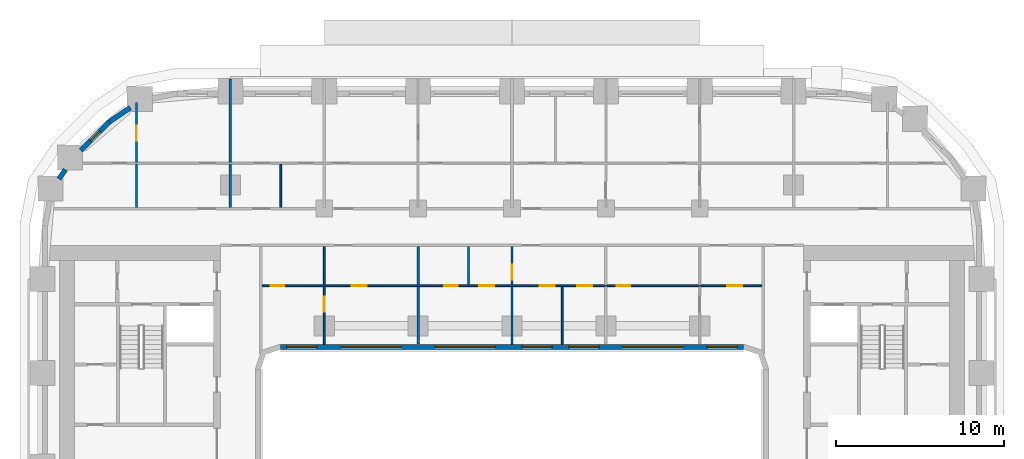
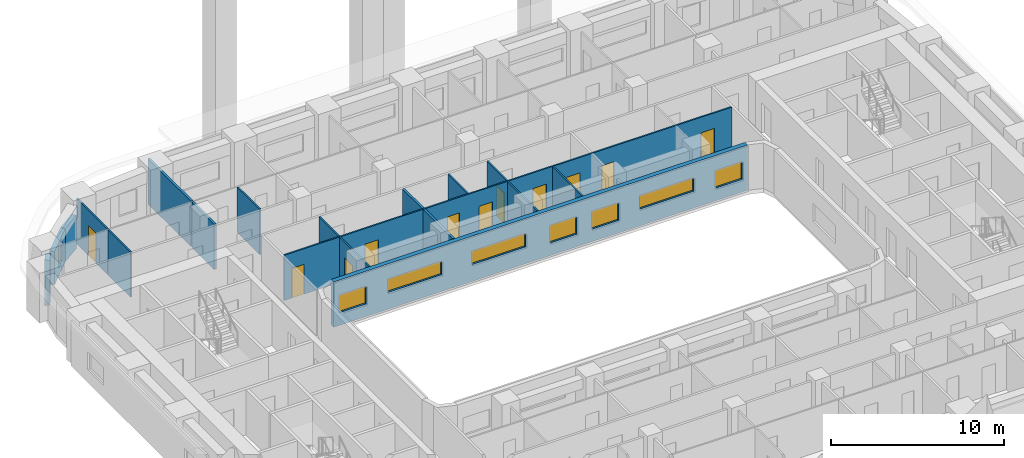
# One storey, part 7 of 21: 18 walls, 11 doors, 8 windows, 19 openings.
"""IFC4 building model written with IfcOpenShell, lengths in metres."""

from ifc_helpers import new_model, si_unit, direction, frame, frame_2d, origin, place, context, subcontext, project, spatial, rectangle, extrude, material, layer, layer_set, type_object, element, fill, save


model = new_model("IFC4")

# Units and contexts
model_context = context("Model", 3, precision=1e-05, world=origin(), true_north=direction((0.0, 1.0)))
body_context = subcontext(model_context, "Body", "Model", "MODEL_VIEW")
ifc_project = project(units=[si_unit("LENGTHUNIT", "METRE"), si_unit("AREAUNIT", "SQUARE_METRE"), si_unit("VOLUMEUNIT", "CUBIC_METRE"), si_unit("PLANEANGLEUNIT", "RADIAN"), si_unit("MASSUNIT", "GRAM", prefix="KILO")], contexts=[model_context])

# Site, building, storey
site_placement = place(None, origin())
site = spatial("IfcSite", under=ifc_project, at=site_placement, CompositionType="ELEMENT")
building_placement = place(site_placement, origin())
building = spatial("IfcBuilding", under=site, at=building_placement, Name="Kiln Ring Residences", CompositionType="ELEMENT")
storey_placement = place(building_placement, frame((0.0, 0.0, 51.5)))
storey = spatial("IfcBuildingStorey", under=building, at=storey_placement, Name="L12", CompositionType="ELEMENT", Elevation=51.5)

# Wall
ifc_material_1 = material(Name="Brick masonry, dark clay brick", Category="masonry")
ifc_layer_1 = layer(ifc_material_1, 0.300048828125)
ifc_layer_set_1 = layer_set([ifc_layer_1], Name="EW-300 BRICK WALL")
wall_type_1 = type_object("IfcWallType", Name="EW-300 BRICK WALL", PredefinedType="SOLIDWALL", material=ifc_layer_set_1)
wall_1_placement = place(storey_placement, frame((-22.76708984375, 21.425537109375, 0.0), z_axis=(0.0, 0.0, 1.0), x_axis=(-0.827028997312, -0.562159263559, 0.0)))
element("IfcWall", 1, at=wall_1_placement, inside=storey, type_object=wall_type_1, Name="Facade wall L12 37", PredefinedType="SOLIDWALL", context=body_context, shape_type="SweptSolid", body=[
    extrude(rectangle(XDim=1.506103515625, YDim=0.300048828125, at=frame_2d((0.7529296875, 0.0))), origin(), (0.0, 0.0, 1.0), 2.35009765625),
])

# Wall, opening, window
wall_2_placement = place(storey_placement, frame((-23.990966796875, 20.596923828125, 0.0), z_axis=(0.0, 0.0, 1.0), x_axis=(-0.707106781187, -0.707106781187, 0.0)))
wall_2 = element("IfcWall", 2, at=wall_2_placement, inside=storey, type_object=wall_type_1, Name="Facade wall L12 38", PredefinedType="SOLIDWALL", context=body_context, shape_type="SweptSolid", body=[
    extrude(rectangle(XDim=2.449951171875, YDim=0.300048828125, at=frame_2d((1.22509765625, 0.0))), origin(), (0.0, 0.0, 1.0), 2.35009765625),
])
opening_1_placement = place(wall_2_placement, frame((0.824951171875, 0.0, 0.60009765625)))
opening_1 = element("IfcOpeningElement", 3, at=opening_1_placement, cuts=wall_2, Name="Opening W5", PredefinedType="OPENING", context=body_context, shape_type="SweptSolid", body=[
    extrude(rectangle(XDim=0.800048828125, YDim=1.550048828125, at=frame_2d((0.39990234375, 0.77490234375))), frame((0.0, 0.159912109375, 0.0), z_axis=(0.0, -1.0, 0.0), x_axis=(1.0, 0.0, 0.0)), (0.0, 0.0, 1.0), 0.320068359375),
])
ifc_material_2 = material(Name="Aluminium frame with double glazing", Category="aluminium")
window_type_1 = type_object("IfcWindowType", Name="WINDOW 800 x 1550", PartitioningType="SINGLE_PANEL", PredefinedType="WINDOW", material=ifc_material_2)
window_1_placement = place(opening_1_placement, origin())
window_1 = element("IfcWindow", 4, at=window_1_placement, inside=storey, type_object=window_type_1, Name="Window L12 22", OverallHeight=1.550048828125, OverallWidth=0.800048828125, PartitioningType="SINGLE_PANEL", PredefinedType="WINDOW", context=body_context, shape_type="SweptSolid", body=[
    extrude(rectangle(XDim=0.800048828125, YDim=1.550048828125, at=frame_2d((0.39990234375, 0.77490234375))), frame((0.0, 0.030029296875, 0.0), z_axis=(0.0, -1.0, 0.0), x_axis=(1.0, 0.0, 0.0)), (0.0, 0.0, 1.0), 0.06005859375),
])
fill(opening_1, window_1)

# Wall
wall_3_placement = place(storey_placement, frame((-26.644775390625, 17.72705078125, 0.0), z_axis=(0.0, 0.0, 1.0), x_axis=(-0.562083182981, -0.827080706709, 0.0)))
element("IfcWall", 5, at=wall_3_placement, inside=storey, type_object=wall_type_1, Name="Facade wall L12 39", PredefinedType="SOLIDWALL", context=body_context, shape_type="SweptSolid", body=[
    extrude(rectangle(XDim=0.67724609375, YDim=0.300048828125, at=frame_2d((0.338623046875, 0.0))), origin(), (0.0, 0.0, 1.0), 3.199951171875),
])

# Wall, openings, windows
wall_4_placement = place(storey_placement, frame((-13.800048828125, 7.14990234375, 0.0), z_axis=(0.0, 0.0, 1.0), x_axis=(1.0, 0.0, 0.0)))
wall_4 = element("IfcWall", 6, at=wall_4_placement, inside=storey, type_object=wall_type_1, Name="Facade wall L12 50", PredefinedType="SOLIDWALL", context=body_context, shape_type="SweptSolid", body=[
    extrude(rectangle(XDim=27.60009765625, YDim=0.300048828125, at=frame_2d((13.800048828125, 0.0))), origin(), (0.0, 0.0, 1.0), 3.199951171875),
])
opening_2_placement = place(wall_4_placement, frame((0.362548828125, 0.0, 0.89990234375)))
opening_2 = element("IfcOpeningElement", 7, at=opening_2_placement, cuts=wall_4, Name="Opening W2", PredefinedType="OPENING", context=body_context, shape_type="SweptSolid", body=[
    extrude(rectangle(XDim=1.800048828125, YDim=1.25, at=frame_2d((0.89990234375, 0.625))), frame((0.0, 0.159912109375, 0.0), z_axis=(0.0, -1.0, 0.0), x_axis=(1.0, 0.0, 0.0)), (0.0, 0.0, 1.0), 0.320068359375),
])
opening_3_placement = place(wall_4_placement, frame((3.60009765625, 0.0, 1.199951171875)))
opening_3 = element("IfcOpeningElement", 8, at=opening_3_placement, cuts=wall_4, Name="Opening W4", PredefinedType="OPENING", context=body_context, shape_type="SweptSolid", body=[
    extrude(rectangle(XDim=3.60009765625, YDim=0.949951171875, at=frame_2d((1.800048828125, 0.47509765625))), frame((0.0, 0.159912109375, 0.0), z_axis=(0.0, -1.0, 0.0), x_axis=(1.0, 0.0, 0.0)), (0.0, 0.0, 1.0), 0.320068359375),
])
opening_4_placement = place(wall_4_placement, frame((9.199951171875, 0.0, 1.199951171875)))
opening_4 = element("IfcOpeningElement", 9, at=opening_4_placement, cuts=wall_4, Name="Opening W4", PredefinedType="OPENING", context=body_context, shape_type="SweptSolid", body=[
    extrude(rectangle(XDim=3.60009765625, YDim=0.949951171875, at=frame_2d((1.800048828125, 0.47509765625))), frame((0.0, 0.159912109375, 0.0), z_axis=(0.0, -1.0, 0.0), x_axis=(1.0, 0.0, 0.0)), (0.0, 0.0, 1.0), 0.320068359375),
])
opening_5_placement = place(wall_4_placement, frame((14.39990234375, 0.0, 0.89990234375)))
opening_5 = element("IfcOpeningElement", 10, at=opening_5_placement, cuts=wall_4, Name="Opening W2", PredefinedType="OPENING", context=body_context, shape_type="SweptSolid", body=[
    extrude(rectangle(XDim=1.800048828125, YDim=1.25, at=frame_2d((0.89990234375, 0.625))), frame((0.0, 0.159912109375, 0.0), z_axis=(0.0, -1.0, 0.0), x_axis=(1.0, 0.0, 0.0)), (0.0, 0.0, 1.0), 0.320068359375),
])
opening_6_placement = place(wall_4_placement, frame((17.199951171875, 0.0, 0.89990234375)))
opening_6 = element("IfcOpeningElement", 11, at=opening_6_placement, cuts=wall_4, Name="Opening W2", PredefinedType="OPENING", context=body_context, shape_type="SweptSolid", body=[
    extrude(rectangle(XDim=1.800048828125, YDim=1.25, at=frame_2d((0.89990234375, 0.625))), frame((0.0, 0.159912109375, 0.0), z_axis=(0.0, -1.0, 0.0), x_axis=(1.0, 0.0, 0.0)), (0.0, 0.0, 1.0), 0.320068359375),
])
opening_7_placement = place(wall_4_placement, frame((20.39990234375, 0.0, 1.199951171875)))
opening_7 = element("IfcOpeningElement", 12, at=opening_7_placement, cuts=wall_4, Name="Opening W4", PredefinedType="OPENING", context=body_context, shape_type="SweptSolid", body=[
    extrude(rectangle(XDim=3.60009765625, YDim=0.949951171875, at=frame_2d((1.800048828125, 0.47509765625))), frame((0.0, 0.159912109375, 0.0), z_axis=(0.0, -1.0, 0.0), x_axis=(1.0, 0.0, 0.0)), (0.0, 0.0, 1.0), 0.320068359375),
])
opening_8_placement = place(wall_4_placement, frame((25.4375, 0.0, 0.89990234375)))
opening_8 = element("IfcOpeningElement", 13, at=opening_8_placement, cuts=wall_4, Name="Opening W2", PredefinedType="OPENING", context=body_context, shape_type="SweptSolid", body=[
    extrude(rectangle(XDim=1.800048828125, YDim=1.25, at=frame_2d((0.89990234375, 0.625))), frame((0.0, 0.159912109375, 0.0), z_axis=(0.0, -1.0, 0.0), x_axis=(1.0, 0.0, 0.0)), (0.0, 0.0, 1.0), 0.320068359375),
])
ifc_material_3 = material(Name="Aluminium frame with double glazing", Category="aluminium")
window_type_2 = type_object("IfcWindowType", Name="WINDOW 1800 x 1250", PartitioningType="SINGLE_PANEL", PredefinedType="WINDOW", material=ifc_material_3)
window_2_placement = place(opening_2_placement, origin())
window_2 = element("IfcWindow", 14, at=window_2_placement, inside=storey, type_object=window_type_2, Name="Window L12 23", OverallHeight=1.25, OverallWidth=1.800048828125, PartitioningType="SINGLE_PANEL", PredefinedType="WINDOW", context=body_context, shape_type="SweptSolid", body=[
    extrude(rectangle(XDim=1.800048828125, YDim=1.25, at=frame_2d((0.89990234375, 0.625))), frame((0.0, 0.030029296875, 0.0), z_axis=(0.0, -1.0, 0.0), x_axis=(1.0, 0.0, 0.0)), (0.0, 0.0, 1.0), 0.06005859375),
])
fill(opening_2, window_2)
window_3_placement = place(opening_5_placement, origin())
window_3 = element("IfcWindow", 15, at=window_3_placement, inside=storey, type_object=window_type_2, Name="Window L12 26", OverallHeight=1.25, OverallWidth=1.800048828125, PartitioningType="SINGLE_PANEL", PredefinedType="WINDOW", context=body_context, shape_type="SweptSolid", body=[
    extrude(rectangle(XDim=1.800048828125, YDim=1.25, at=frame_2d((0.89990234375, 0.625))), frame((0.0, 0.030029296875, 0.0), z_axis=(0.0, -1.0, 0.0), x_axis=(1.0, 0.0, 0.0)), (0.0, 0.0, 1.0), 0.06005859375),
])
fill(opening_5, window_3)
window_4_placement = place(opening_6_placement, origin())
window_4 = element("IfcWindow", 16, at=window_4_placement, inside=storey, type_object=window_type_2, Name="Window L12 27", OverallHeight=1.25, OverallWidth=1.800048828125, PartitioningType="SINGLE_PANEL", PredefinedType="WINDOW", context=body_context, shape_type="SweptSolid", body=[
    extrude(rectangle(XDim=1.800048828125, YDim=1.25, at=frame_2d((0.89990234375, 0.625))), frame((0.0, 0.030029296875, 0.0), z_axis=(0.0, -1.0, 0.0), x_axis=(1.0, 0.0, 0.0)), (0.0, 0.0, 1.0), 0.06005859375),
])
fill(opening_6, window_4)
window_5_placement = place(opening_8_placement, origin())
window_5 = element("IfcWindow", 17, at=window_5_placement, inside=storey, type_object=window_type_2, Name="Window L12 29", OverallHeight=1.25, OverallWidth=1.800048828125, PartitioningType="SINGLE_PANEL", PredefinedType="WINDOW", context=body_context, shape_type="SweptSolid", body=[
    extrude(rectangle(XDim=1.800048828125, YDim=1.25, at=frame_2d((0.89990234375, 0.625))), frame((0.0, 0.030029296875, 0.0), z_axis=(0.0, -1.0, 0.0), x_axis=(1.0, 0.0, 0.0)), (0.0, 0.0, 1.0), 0.06005859375),
])
fill(opening_8, window_5)
ifc_material_4 = material(Name="Aluminium frame with double glazing", Category="aluminium")
window_type_3 = type_object("IfcWindowType", Name="WINDOW 3600 x 950", PartitioningType="SINGLE_PANEL", PredefinedType="WINDOW", material=ifc_material_4)
window_6_placement = place(opening_3_placement, origin())
window_6 = element("IfcWindow", 18, at=window_6_placement, inside=storey, type_object=window_type_3, Name="Window L12 24", OverallHeight=0.949951171875, OverallWidth=3.60009765625, PartitioningType="SINGLE_PANEL", PredefinedType="WINDOW", context=body_context, shape_type="SweptSolid", body=[
    extrude(rectangle(XDim=3.60009765625, YDim=0.949951171875, at=frame_2d((1.800048828125, 0.47509765625))), frame((0.0, 0.030029296875, 0.0), z_axis=(0.0, -1.0, 0.0), x_axis=(1.0, 0.0, 0.0)), (0.0, 0.0, 1.0), 0.06005859375),
])
fill(opening_3, window_6)
window_7_placement = place(opening_4_placement, origin())
window_7 = element("IfcWindow", 19, at=window_7_placement, inside=storey, type_object=window_type_3, Name="Window L12 25", OverallHeight=0.949951171875, OverallWidth=3.60009765625, PartitioningType="SINGLE_PANEL", PredefinedType="WINDOW", context=body_context, shape_type="SweptSolid", body=[
    extrude(rectangle(XDim=3.60009765625, YDim=0.949951171875, at=frame_2d((1.800048828125, 0.47509765625))), frame((0.0, 0.030029296875, 0.0), z_axis=(0.0, -1.0, 0.0), x_axis=(1.0, 0.0, 0.0)), (0.0, 0.0, 1.0), 0.06005859375),
])
fill(opening_4, window_7)
window_8_placement = place(opening_7_placement, origin())
window_8 = element("IfcWindow", 20, at=window_8_placement, inside=storey, type_object=window_type_3, Name="Window L12 28", OverallHeight=0.949951171875, OverallWidth=3.60009765625, PartitioningType="SINGLE_PANEL", PredefinedType="WINDOW", context=body_context, shape_type="SweptSolid", body=[
    extrude(rectangle(XDim=3.60009765625, YDim=0.949951171875, at=frame_2d((1.800048828125, 0.47509765625))), frame((0.0, 0.030029296875, 0.0), z_axis=(0.0, -1.0, 0.0), x_axis=(1.0, 0.0, 0.0)), (0.0, 0.0, 1.0), 0.06005859375),
])
fill(opening_7, window_8)

# Wall, openings, doors
ifc_material_5 = material(Name="Gypsum board on steel studs", Category="steel")
ifc_layer_2 = layer(ifc_material_5, 0.10009765625)
ifc_layer_set_2 = layer_set([ifc_layer_2], Name="PARTITION-100")
wall_type_2 = type_object("IfcWallType", Name="PARTITION-100", PredefinedType="PARTITIONING", material=ifc_layer_set_2)
wall_5_placement = place(storey_placement, frame((-14.925048828125, 10.800048828125, 0.0), z_axis=(0.0, 0.0, 1.0), x_axis=(1.0, 0.0, 0.0)))
wall_5 = element("IfcWall", 21, at=wall_5_placement, inside=storey, type_object=wall_type_2, Name="Partition 004", PredefinedType="PARTITIONING", context=body_context, shape_type="SweptSolid", body=[
    extrude(rectangle(XDim=29.85009765625, YDim=0.10009765625, at=frame_2d((14.925048828125, 0.0))), origin(), (0.0, 0.0, 1.0), 3.199951171875),
])
opening_9_placement = place(wall_5_placement, frame((0.52490234375, 0.0, 0.0)))
opening_9 = element("IfcOpeningElement", 22, at=opening_9_placement, cuts=wall_5, Name="Opening L12-D006", PredefinedType="OPENING", context=body_context, shape_type="SweptSolid", body=[
    extrude(rectangle(XDim=0.800048828125, YDim=2.10009765625, at=frame_2d((0.39990234375, 1.050048828125))), frame((0.0, 0.06005859375, 0.0), z_axis=(0.0, -1.0, 0.0), x_axis=(1.0, 0.0, 0.0)), (0.0, 0.0, 1.0), 0.1201171875),
])
opening_10_placement = place(wall_5_placement, frame((5.375, 0.0, 0.0)))
opening_10 = element("IfcOpeningElement", 23, at=opening_10_placement, cuts=wall_5, Name="Opening L12-D007", PredefinedType="OPENING", context=body_context, shape_type="SweptSolid", body=[
    extrude(rectangle(XDim=0.89990234375, YDim=2.10009765625, at=frame_2d((0.449951171875, 1.050048828125))), frame((0.0, 0.06005859375, 0.0), z_axis=(0.0, -1.0, 0.0), x_axis=(1.0, 0.0, 0.0)), (0.0, 0.0, 1.0), 0.1201171875),
])
opening_11_placement = place(wall_5_placement, frame((10.875, 0.0, 0.0)))
opening_11 = element("IfcOpeningElement", 24, at=opening_11_placement, cuts=wall_5, Name="Opening L12-D011", PredefinedType="OPENING", context=body_context, shape_type="SweptSolid", body=[
    extrude(rectangle(XDim=0.800048828125, YDim=2.10009765625, at=frame_2d((0.39990234375, 1.050048828125))), frame((0.0, 0.06005859375, 0.0), z_axis=(0.0, -1.0, 0.0), x_axis=(1.0, 0.0, 0.0)), (0.0, 0.0, 1.0), 0.1201171875),
])
opening_12_placement = place(wall_5_placement, frame((12.97509765625, 0.0, 0.0)))
opening_12 = element("IfcOpeningElement", 25, at=opening_12_placement, cuts=wall_5, Name="Opening L12-D012", PredefinedType="OPENING", context=body_context, shape_type="SweptSolid", body=[
    extrude(rectangle(XDim=0.89990234375, YDim=2.10009765625, at=frame_2d((0.449951171875, 1.050048828125))), frame((0.0, 0.06005859375, 0.0), z_axis=(0.0, -1.0, 0.0), x_axis=(1.0, 0.0, 0.0)), (0.0, 0.0, 1.0), 0.1201171875),
])
opening_13_placement = place(wall_5_placement, frame((16.574951171875, 0.0, 0.0)))
opening_13 = element("IfcOpeningElement", 26, at=opening_13_placement, cuts=wall_5, Name="Opening L12-D013", PredefinedType="OPENING", context=body_context, shape_type="SweptSolid", body=[
    extrude(rectangle(XDim=0.89990234375, YDim=2.10009765625, at=frame_2d((0.449951171875, 1.050048828125))), frame((0.0, 0.06005859375, 0.0), z_axis=(0.0, -1.0, 0.0), x_axis=(1.0, 0.0, 0.0)), (0.0, 0.0, 1.0), 0.1201171875),
])
opening_14_placement = place(wall_5_placement, frame((18.824951171875, 0.0, 0.0)))
opening_14 = element("IfcOpeningElement", 27, at=opening_14_placement, cuts=wall_5, Name="Opening L12-D014", PredefinedType="OPENING", context=body_context, shape_type="SweptSolid", body=[
    extrude(rectangle(XDim=0.89990234375, YDim=2.10009765625, at=frame_2d((0.449951171875, 1.050048828125))), frame((0.0, 0.06005859375, 0.0), z_axis=(0.0, -1.0, 0.0), x_axis=(1.0, 0.0, 0.0)), (0.0, 0.0, 1.0), 0.1201171875),
])
opening_15_placement = place(wall_5_placement, frame((21.175048828125, 0.0, 0.0)))
opening_15 = element("IfcOpeningElement", 28, at=opening_15_placement, cuts=wall_5, Name="Opening L12-D016", PredefinedType="OPENING", context=body_context, shape_type="SweptSolid", body=[
    extrude(rectangle(XDim=0.800048828125, YDim=2.10009765625, at=frame_2d((0.39990234375, 1.050048828125))), frame((0.0, 0.06005859375, 0.0), z_axis=(0.0, -1.0, 0.0), x_axis=(1.0, 0.0, 0.0)), (0.0, 0.0, 1.0), 0.1201171875),
])
opening_16_placement = place(wall_5_placement, frame((27.77490234375, 0.0, 0.0)))
opening_16 = element("IfcOpeningElement", 29, at=opening_16_placement, cuts=wall_5, Name="Opening L12-D017", PredefinedType="OPENING", context=body_context, shape_type="SweptSolid", body=[
    extrude(rectangle(XDim=0.89990234375, YDim=2.10009765625, at=frame_2d((0.449951171875, 1.050048828125))), frame((0.0, 0.06005859375, 0.0), z_axis=(0.0, -1.0, 0.0), x_axis=(1.0, 0.0, 0.0)), (0.0, 0.0, 1.0), 0.1201171875),
])
ifc_material_6 = material(Name="Timber door leaf", Category="wood")
door_type_1 = type_object("IfcDoorType", Name="FLAT-DOOR-800-PL", OperationType="SINGLE_SWING_LEFT", PredefinedType="DOOR", material=ifc_material_6)
door_1_placement = place(opening_9_placement, origin())
door_1 = element("IfcDoor", 30, at=door_1_placement, inside=storey, type_object=door_type_1, Name="Door L12-D006", OperationType="SINGLE_SWING_RIGHT", OverallHeight=2.10009765625, OverallWidth=0.800048828125, PredefinedType="DOOR", context=body_context, shape_type="SweptSolid", body=[
    extrude(rectangle(XDim=0.800048828125, YDim=2.10009765625, at=frame_2d((0.39990234375, 1.050048828125))), frame((0.0, 0.02490234375, 0.0), z_axis=(0.0, -1.0, 0.0), x_axis=(1.0, 0.0, 0.0)), (0.0, 0.0, 1.0), 0.050048828125),
])
fill(opening_9, door_1)
door_2_placement = place(opening_11_placement, origin())
door_2 = element("IfcDoor", 31, at=door_2_placement, inside=storey, type_object=door_type_1, Name="Door L12-D011", OperationType="SINGLE_SWING_LEFT", OverallHeight=2.10009765625, OverallWidth=0.800048828125, PredefinedType="DOOR", context=body_context, shape_type="SweptSolid", body=[
    extrude(rectangle(XDim=0.800048828125, YDim=2.10009765625, at=frame_2d((0.39990234375, 1.050048828125))), frame((0.0, 0.02490234375, 0.0), z_axis=(0.0, -1.0, 0.0), x_axis=(1.0, 0.0, 0.0)), (0.0, 0.0, 1.0), 0.050048828125),
])
fill(opening_11, door_2)
door_3_placement = place(opening_15_placement, origin())
door_3 = element("IfcDoor", 32, at=door_3_placement, inside=storey, type_object=door_type_1, Name="Door L12-D016", OperationType="SINGLE_SWING_RIGHT", OverallHeight=2.10009765625, OverallWidth=0.800048828125, PredefinedType="DOOR", context=body_context, shape_type="SweptSolid", body=[
    extrude(rectangle(XDim=0.800048828125, YDim=2.10009765625, at=frame_2d((0.39990234375, 1.050048828125))), frame((0.0, 0.02490234375, 0.0), z_axis=(0.0, -1.0, 0.0), x_axis=(1.0, 0.0, 0.0)), (0.0, 0.0, 1.0), 0.050048828125),
])
fill(opening_15, door_3)
ifc_material_7 = material(Name="Timber door leaf", Category="wood")
door_type_2 = type_object("IfcDoorType", Name="FLAT-DOOR-900-PL", OperationType="SINGLE_SWING_LEFT", PredefinedType="DOOR", material=ifc_material_7)
door_4_placement = place(opening_10_placement, origin())
door_4 = element("IfcDoor", 33, at=door_4_placement, inside=storey, type_object=door_type_2, Name="Door L12-D007", OperationType="SINGLE_SWING_LEFT", OverallHeight=2.10009765625, OverallWidth=0.89990234375, PredefinedType="DOOR", context=body_context, shape_type="SweptSolid", body=[
    extrude(rectangle(XDim=0.89990234375, YDim=2.10009765625, at=frame_2d((0.449951171875, 1.050048828125))), frame((0.0, 0.02490234375, 0.0), z_axis=(0.0, -1.0, 0.0), x_axis=(1.0, 0.0, 0.0)), (0.0, 0.0, 1.0), 0.050048828125),
])
fill(opening_10, door_4)
door_5_placement = place(opening_12_placement, origin())
door_5 = element("IfcDoor", 34, at=door_5_placement, inside=storey, type_object=door_type_2, Name="Door L12-D012", OperationType="SINGLE_SWING_LEFT", OverallHeight=2.10009765625, OverallWidth=0.89990234375, PredefinedType="DOOR", context=body_context, shape_type="SweptSolid", body=[
    extrude(rectangle(XDim=0.89990234375, YDim=2.10009765625, at=frame_2d((0.449951171875, 1.050048828125))), frame((0.0, 0.02490234375, 0.0), z_axis=(0.0, -1.0, 0.0), x_axis=(1.0, 0.0, 0.0)), (0.0, 0.0, 1.0), 0.050048828125),
])
fill(opening_12, door_5)
door_6_placement = place(opening_13_placement, origin())
door_6 = element("IfcDoor", 35, at=door_6_placement, inside=storey, type_object=door_type_2, Name="Door L12-D013", OperationType="SINGLE_SWING_RIGHT", OverallHeight=2.10009765625, OverallWidth=0.89990234375, PredefinedType="DOOR", context=body_context, shape_type="SweptSolid", body=[
    extrude(rectangle(XDim=0.89990234375, YDim=2.10009765625, at=frame_2d((0.449951171875, 1.050048828125))), frame((0.0, 0.02490234375, 0.0), z_axis=(0.0, -1.0, 0.0), x_axis=(1.0, 0.0, 0.0)), (0.0, 0.0, 1.0), 0.050048828125),
])
fill(opening_13, door_6)
door_7_placement = place(opening_14_placement, origin())
door_7 = element("IfcDoor", 36, at=door_7_placement, inside=storey, type_object=door_type_2, Name="Door L12-D014", OperationType="SINGLE_SWING_RIGHT", OverallHeight=2.10009765625, OverallWidth=0.89990234375, PredefinedType="DOOR", context=body_context, shape_type="SweptSolid", body=[
    extrude(rectangle(XDim=0.89990234375, YDim=2.10009765625, at=frame_2d((0.449951171875, 1.050048828125))), frame((0.0, 0.02490234375, 0.0), z_axis=(0.0, -1.0, 0.0), x_axis=(1.0, 0.0, 0.0)), (0.0, 0.0, 1.0), 0.050048828125),
])
fill(opening_14, door_7)
door_8_placement = place(opening_16_placement, origin())
door_8 = element("IfcDoor", 37, at=door_8_placement, inside=storey, type_object=door_type_2, Name="Door L12-D017", OperationType="SINGLE_SWING_RIGHT", OverallHeight=2.10009765625, OverallWidth=0.89990234375, PredefinedType="DOOR", context=body_context, shape_type="SweptSolid", body=[
    extrude(rectangle(XDim=0.89990234375, YDim=2.10009765625, at=frame_2d((0.449951171875, 1.050048828125))), frame((0.0, 0.02490234375, 0.0), z_axis=(0.0, -1.0, 0.0), x_axis=(1.0, 0.0, 0.0)), (0.0, 0.0, 1.0), 0.050048828125),
])
fill(opening_16, door_8)

# Wall
wall_6_placement = place(storey_placement, frame((-22.39990234375, 15.47509765625, 0.0), z_axis=(0.0, 0.0, 1.0), x_axis=(0.0, 1.0, 0.0)))
element("IfcWall", 38, at=wall_6_placement, inside=storey, type_object=wall_type_2, Name="Partition 010", PredefinedType="PARTITIONING", context=body_context, shape_type="SweptSolid", body=[
    extrude(rectangle(XDim=2.574951171875, YDim=0.10009765625, at=frame_2d((1.28759765625, 0.0))), origin(), (0.0, 0.0, 1.0), 3.199951171875),
])

# Wall, opening, door
wall_7_placement = place(storey_placement, frame((-22.39990234375, 18.14990234375, 0.0), z_axis=(0.0, 0.0, 1.0), x_axis=(0.0, 1.0, 0.0)))
wall_7 = element("IfcWall", 39, at=wall_7_placement, inside=storey, type_object=wall_type_2, Name="Partition 011", PredefinedType="PARTITIONING", context=body_context, shape_type="SweptSolid", body=[
    extrude(rectangle(XDim=3.570068359375, YDim=0.10009765625, at=frame_2d((1.78515625, 0.0))), origin(), (0.0, 0.0, 1.0), 3.199951171875),
])
opening_17_placement = place(wall_7_placement, frame((1.298095703125, 0.0, 0.0)))
opening_17 = element("IfcOpeningElement", 40, at=opening_17_placement, cuts=wall_7, Name="Opening L12-D022", PredefinedType="OPENING", context=body_context, shape_type="SweptSolid", body=[
    extrude(rectangle(XDim=0.89990234375, YDim=2.10009765625, at=frame_2d((0.449951171875, 1.050048828125))), frame((0.0, 0.06005859375, 0.0), z_axis=(0.0, -1.0, 0.0), x_axis=(1.0, 0.0, 0.0)), (0.0, 0.0, 1.0), 0.1201171875),
])
door_9_placement = place(opening_17_placement, origin())
door_9 = element("IfcDoor", 41, at=door_9_placement, inside=storey, type_object=door_type_2, Name="Door L12-D022", OperationType="SINGLE_SWING_RIGHT", OverallHeight=2.10009765625, OverallWidth=0.89990234375, PredefinedType="DOOR", context=body_context, shape_type="SweptSolid", body=[
    extrude(rectangle(XDim=0.89990234375, YDim=2.10009765625, at=frame_2d((0.449951171875, 1.050048828125))), frame((0.0, 0.02490234375, 0.0), z_axis=(0.0, -1.0, 0.0), x_axis=(1.0, 0.0, 0.0)), (0.0, 0.0, 1.0), 0.050048828125),
])
fill(opening_17, door_9)

# Wall
wall_8_placement = place(storey_placement, frame((-13.800048828125, 15.47509765625, 0.0), z_axis=(0.0, 0.0, 1.0), x_axis=(0.0, 1.0, 0.0)))
element("IfcWall", 42, at=wall_8_placement, inside=storey, type_object=wall_type_2, Name="Partition 019", PredefinedType="PARTITIONING", context=body_context, shape_type="SweptSolid", body=[
    extrude(rectangle(XDim=2.574951171875, YDim=0.10009765625, at=frame_2d((1.28759765625, 0.0))), origin(), (0.0, 0.0, 1.0), 3.199951171875),
])

# Wall, opening, door
wall_9_placement = place(storey_placement, frame((-11.199951171875, 7.320068359375, 0.0), z_axis=(0.0, 0.0, 1.0), x_axis=(0.0, 1.0, 0.0)))
wall_9 = element("IfcWall", 43, at=wall_9_placement, inside=storey, type_object=wall_type_2, Name="Partition 024", PredefinedType="PARTITIONING", context=body_context, shape_type="SweptSolid", body=[
    extrude(rectangle(XDim=3.429931640625, YDim=0.10009765625, at=frame_2d((1.71484375, 0.0))), origin(), (0.0, 0.0, 1.0), 3.199951171875),
])
opening_18_placement = place(wall_9_placement, frame((1.929931640625, 0.0, 0.0)))
opening_18 = element("IfcOpeningElement", 44, at=opening_18_placement, cuts=wall_9, Name="Opening L12-D008", PredefinedType="OPENING", context=body_context, shape_type="SweptSolid", body=[
    extrude(rectangle(XDim=0.89990234375, YDim=2.10009765625, at=frame_2d((0.449951171875, 1.050048828125))), frame((0.0, 0.06005859375, 0.0), z_axis=(0.0, -1.0, 0.0), x_axis=(1.0, 0.0, 0.0)), (0.0, 0.0, 1.0), 0.1201171875),
])
door_10_placement = place(opening_18_placement, origin())
door_10 = element("IfcDoor", 45, at=door_10_placement, inside=storey, type_object=door_type_2, Name="Door L12-D008", OperationType="SINGLE_SWING_LEFT", OverallHeight=2.10009765625, OverallWidth=0.89990234375, PredefinedType="DOOR", context=body_context, shape_type="SweptSolid", body=[
    extrude(rectangle(XDim=0.89990234375, YDim=2.10009765625, at=frame_2d((0.449951171875, 1.050048828125))), frame((0.0, 0.02490234375, 0.0), z_axis=(0.0, -1.0, 0.0), x_axis=(1.0, 0.0, 0.0)), (0.0, 0.0, 1.0), 0.050048828125),
])
fill(opening_18, door_10)

# Walls
for number, where, z_axis, x_axis, name in (
    (46, (-11.199951171875, 10.85009765625, 0.0), (0.0, 0.0, 1.0), (0.0, 1.0, 0.0), "Partition 025"),
    (47, (-2.60009765625, 10.85009765625, 0.0), (0.0, 0.0, 1.0), (0.0, 1.0, 0.0), "Partition 037"),
):
    element("IfcWall", number, at=place(storey_placement, frame(where, z_axis=z_axis, x_axis=x_axis)), inside=storey, type_object=wall_type_2, Name=name, PredefinedType="PARTITIONING", context=body_context, shape_type="SweptSolid", body=[
        extrude(rectangle(XDim=2.27490234375, YDim=0.10009765625, at=frame_2d((1.137451171875, 0.0))), origin(), (0.0, 0.0, 1.0), 3.199951171875),
    ])
wall_10_placement = place(storey_placement, frame((0.0, 7.320068359375, 0.0), z_axis=(0.0, 0.0, 1.0), x_axis=(0.0, 1.0, 0.0)))
element("IfcWall", 48, at=wall_10_placement, inside=storey, type_object=wall_type_2, Name="Partition 042", PredefinedType="PARTITIONING", context=body_context, shape_type="SweptSolid", body=[
    extrude(rectangle(XDim=3.429931640625, YDim=0.10009765625, at=frame_2d((1.71484375, 0.0))), origin(), (0.0, 0.0, 1.0), 3.199951171875),
])

# Wall, opening, door
wall_11_placement = place(storey_placement, frame((0.0, 10.85009765625, 0.0), z_axis=(0.0, 0.0, 1.0), x_axis=(0.0, 1.0, 0.0)))
wall_11 = element("IfcWall", 49, at=wall_11_placement, inside=storey, type_object=wall_type_2, Name="Partition 043", PredefinedType="PARTITIONING", context=body_context, shape_type="SweptSolid", body=[
    extrude(rectangle(XDim=2.27490234375, YDim=0.10009765625, at=frame_2d((1.137451171875, 0.0))), origin(), (0.0, 0.0, 1.0), 3.199951171875),
])
opening_19_placement = place(wall_11_placement, frame((0.299072265625, 0.0, 0.0)))
opening_19 = element("IfcOpeningElement", 50, at=opening_19_placement, cuts=wall_11, Name="Opening L12-D010", PredefinedType="OPENING", context=body_context, shape_type="SweptSolid", body=[
    extrude(rectangle(XDim=0.89990234375, YDim=2.10009765625, at=frame_2d((0.449951171875, 1.050048828125))), frame((0.0, 0.06005859375, 0.0), z_axis=(0.0, -1.0, 0.0), x_axis=(1.0, 0.0, 0.0)), (0.0, 0.0, 1.0), 0.1201171875),
])
door_11_placement = place(opening_19_placement, origin())
door_11 = element("IfcDoor", 51, at=door_11_placement, inside=storey, type_object=door_type_2, Name="Door L12-D010", OperationType="SINGLE_SWING_RIGHT", OverallHeight=2.10009765625, OverallWidth=0.89990234375, PredefinedType="DOOR", context=body_context, shape_type="SweptSolid", body=[
    extrude(rectangle(XDim=0.89990234375, YDim=2.10009765625, at=frame_2d((0.449951171875, 1.050048828125))), frame((0.0, 0.02490234375, 0.0), z_axis=(0.0, -1.0, 0.0), x_axis=(1.0, 0.0, 0.0)), (0.0, 0.0, 1.0), 0.050048828125),
])
fill(opening_19, door_11)

# Walls
wall_12_placement = place(storey_placement, frame((3.0, 7.320068359375, 0.0), z_axis=(0.0, 0.0, 1.0), x_axis=(0.0, 1.0, 0.0)))
element("IfcWall", 52, at=wall_12_placement, inside=storey, type_object=wall_type_2, Name="Partition 047", PredefinedType="PARTITIONING", context=body_context, shape_type="SweptSolid", body=[
    extrude(rectangle(XDim=3.429931640625, YDim=0.10009765625, at=frame_2d((1.71484375, 0.0))), origin(), (0.0, 0.0, 1.0), 3.199951171875),
])
ifc_material_8 = material(Name="Brick masonry partition", Category="masonry")
ifc_layer_3 = layer(ifc_material_8, 0.14990234375)
ifc_layer_set_3 = layer_set([ifc_layer_3], Name="PARTITION-150-ei60")
wall_type_3 = type_object("IfcWallType", Name="PARTITION-150-ei60", PredefinedType="PARTITIONING", material=ifc_layer_set_3)
wall_13_placement = place(storey_placement, frame((-16.800048828125, 15.47509765625, 0.0), z_axis=(0.0, 0.0, 1.0), x_axis=(0.0, 1.0, 0.0)))
element("IfcWall", 53, at=wall_13_placement, inside=storey, type_object=wall_type_3, Name="Partition 014", PredefinedType="PARTITIONING", context=body_context, shape_type="SweptSolid", body=[
    extrude(rectangle(XDim=2.574951171875, YDim=0.14990234375, at=frame_2d((1.28759765625, 0.0))), origin(), (0.0, 0.0, 1.0), 3.199951171875),
])
wall_14_placement = place(storey_placement, frame((-16.800048828125, 18.14990234375, 0.0), z_axis=(0.0, 0.0, 1.0), x_axis=(0.0, 1.0, 0.0)))
element("IfcWall", 54, at=wall_14_placement, inside=storey, type_object=wall_type_3, Name="Partition 015", PredefinedType="PARTITIONING", context=body_context, shape_type="SweptSolid", body=[
    extrude(rectangle(XDim=4.97998046875, YDim=0.14990234375, at=frame_2d((2.489990234375, 0.0))), origin(), (0.0, 0.0, 1.0), 3.199951171875),
])
wall_15_placement = place(storey_placement, frame((-5.60009765625, 7.320068359375, 0.0), z_axis=(0.0, 0.0, 1.0), x_axis=(0.0, 1.0, 0.0)))
element("IfcWall", 55, at=wall_15_placement, inside=storey, type_object=wall_type_3, Name="Partition 035", PredefinedType="PARTITIONING", context=body_context, shape_type="SweptSolid", body=[
    extrude(rectangle(XDim=3.429931640625, YDim=0.14990234375, at=frame_2d((1.71484375, 0.0))), origin(), (0.0, 0.0, 1.0), 3.199951171875),
])
wall_16_placement = place(storey_placement, frame((-5.60009765625, 10.85009765625, 0.0), z_axis=(0.0, 0.0, 1.0), x_axis=(0.0, 1.0, 0.0)))
element("IfcWall", 56, at=wall_16_placement, inside=storey, type_object=wall_type_3, Name="Partition 036", PredefinedType="PARTITIONING", context=body_context, shape_type="SweptSolid", body=[
    extrude(rectangle(XDim=2.27490234375, YDim=0.14990234375, at=frame_2d((1.137451171875, 0.0))), origin(), (0.0, 0.0, 1.0), 3.199951171875),
])

save(model, "model.ifc")
